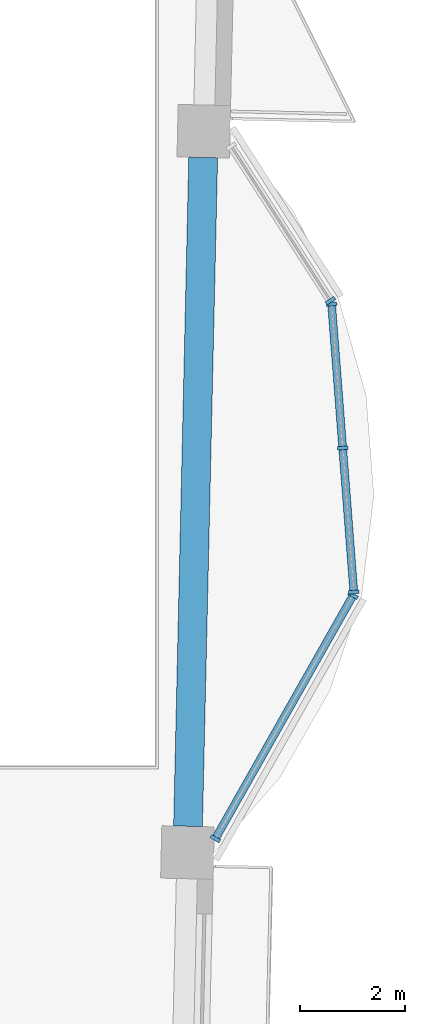
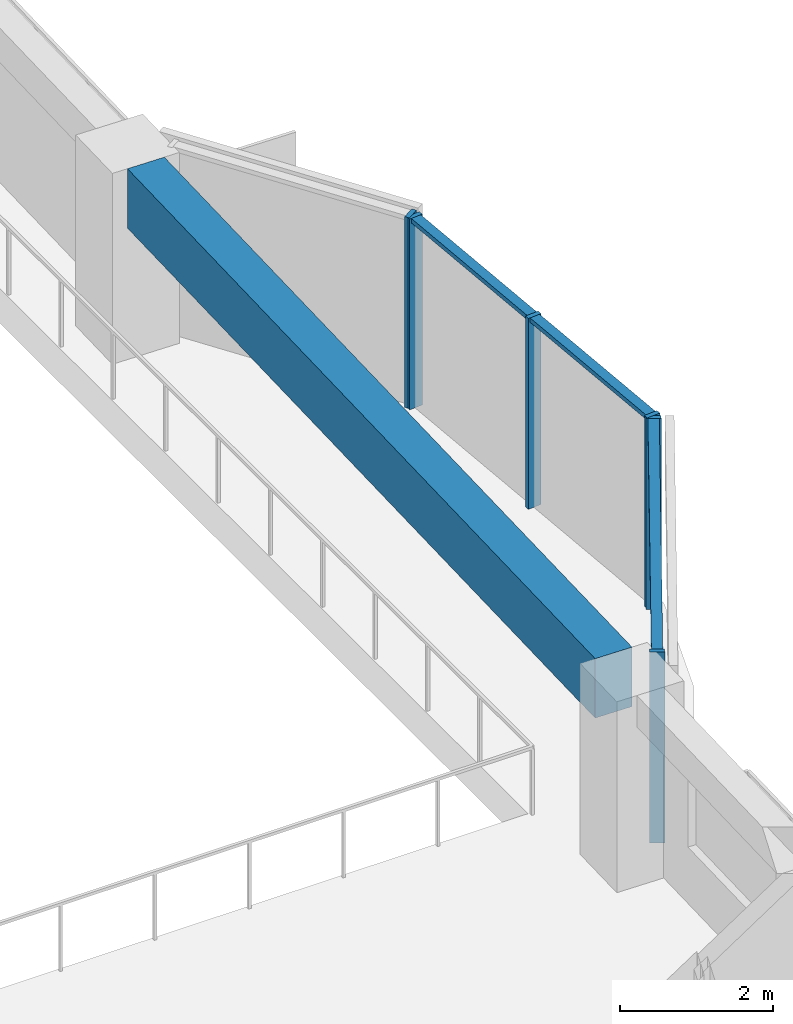
# One storey, part 2 of 17: 9 members, 1 beam, 3 elements without a shape of their own.
"""IFC4 building model written with IfcOpenShell, lengths in metres."""

from ifc_helpers import new_model, si_unit, direction, frame, origin, origin_2d, place, context, subcontext, project, spatial, rectangle, extrude, material, material_profile, profile_set, type_object, element, aggregate, save


model = new_model("IFC4")

# Units and contexts
model_context = context("Model", 3, precision=1e-05, world=origin(), true_north=direction((0.0, 1.0)))
body_context = subcontext(model_context, "Body", "Model", "MODEL_VIEW")
ifc_project = project(units=[si_unit("LENGTHUNIT", "METRE"), si_unit("AREAUNIT", "SQUARE_METRE"), si_unit("VOLUMEUNIT", "CUBIC_METRE"), si_unit("PLANEANGLEUNIT", "RADIAN"), si_unit("MASSUNIT", "GRAM", prefix="KILO")], contexts=[model_context])

# Site, building, storey
site_placement = place(None, origin())
site = spatial("IfcSite", under=ifc_project, at=site_placement, CompositionType="ELEMENT")
building_placement = place(site_placement, origin())
building = spatial("IfcBuilding", under=site, at=building_placement, Name="Mangrove Gate Tower", CompositionType="ELEMENT")
storey_placement = place(building_placement, frame((0.0, 0.0, 268.10009765625)))
storey = spatial("IfcBuildingStorey", under=building, at=storey_placement, Name="L68", CompositionType="ELEMENT", Elevation=268.10009765625)

# Curtain wall, members
ifc_material_1 = material(Name="Aluminium and glass curtain wall", Category="aluminium")
curtain_wall_type = type_object("IfcCurtainWallType", Name="Atrium garden-court glazing wall", PredefinedType="NOTDEFINED", material=ifc_material_1)
curtain_wall_1_placement = place(storey_placement, origin())
curtain_wall_1 = element("IfcCurtainWall", 1, at=curtain_wall_1_placement, inside=storey, type_object=curtain_wall_type, Name="Atrium garden-court glazing E1f1", PredefinedType="NOTDEFINED")
ifc_material_2 = material(Name="Aluminium alloy 6063-T6", Category="aluminium")
ifc_material_profile_1 = material_profile(ifc_material_2, rectangle(XDim=0.070068359375, YDim=0.199951171875, at=origin_2d()))
ifc_profile_set_1 = profile_set([ifc_material_profile_1], Name="Aluminium alloy 6063-T6")
member_type_1 = type_object("IfcMemberType", Name="Atrium garden-court glazing mullion 70x200", PredefinedType="MULLION", material=ifc_profile_set_1)
member_1_placement = place(storey_placement, frame((29.805908203125, -8.890869140625, 0.0), z_axis=(0.0, 0.0, 1.0), x_axis=(0.492567972087, 0.870273975754, 0.0)))
member_1 = element("IfcMember", 2, at=member_1_placement, type_object=member_type_1, Name="CWA mullion 1", PredefinedType="MULLION", context=body_context, shape_type="SweptSolid", body=[
    extrude(rectangle(XDim=0.070068359375, YDim=0.199951171875, at=origin_2d()), origin(), (0.0, 0.0, 1.0), 3.0498046875),
])
member_2_placement = place(storey_placement, frame((32.429931640625, -4.25439453125, 0.0), z_axis=(0.0, 0.0, 1.0), x_axis=(0.492567972087, 0.870273975754, 0.0)))
member_2 = element("IfcMember", 3, at=member_2_placement, type_object=member_type_1, Name="CWA mullion 2", PredefinedType="MULLION", context=body_context, shape_type="SweptSolid", body=[
    extrude(rectangle(XDim=0.070068359375, YDim=0.199951171875, at=origin_2d()), origin(), (0.0, 0.0, 1.0), 3.0498046875),
])

curtain_wall_2_placement = place(storey_placement, origin())
curtain_wall_2 = element("IfcCurtainWall", 4, at=curtain_wall_2_placement, inside=storey, type_object=curtain_wall_type, Name="Atrium garden-court glazing E1f2", PredefinedType="NOTDEFINED")
member_3_placement = place(storey_placement, frame((32.444580078125, -4.18896484375, 0.0), z_axis=(0.0, 0.0, 1.0), x_axis=(-0.077023348403, 0.997029289339, 0.0)))
member_3 = element("IfcMember", 5, at=member_3_placement, type_object=member_type_1, Name="CWA mullion 1", PredefinedType="MULLION", context=body_context, shape_type="SweptSolid", body=[
    extrude(rectangle(XDim=0.070068359375, YDim=0.199951171875, at=origin_2d()), origin(), (0.0, 0.0, 1.0), 3.0498046875),
])
member_4_placement = place(storey_placement, frame((32.232666015625, -1.4453125, 0.0), z_axis=(0.0, 0.0, 1.0), x_axis=(-0.077023348403, 0.997029289339, 0.0)))
member_4 = element("IfcMember", 6, at=member_4_placement, type_object=member_type_1, Name="CWA mullion 2", PredefinedType="MULLION", context=body_context, shape_type="SweptSolid", body=[
    extrude(rectangle(XDim=0.070068359375, YDim=0.199951171875, at=origin_2d()), origin(), (0.0, 0.0, 1.0), 3.0498046875),
])
member_5_placement = place(storey_placement, frame((32.020751953125, 1.298095703125, 0.0), z_axis=(0.0, 0.0, 1.0), x_axis=(-0.077023348403, 0.997029289339, 0.0)))
member_5 = element("IfcMember", 7, at=member_5_placement, type_object=member_type_1, Name="CWA mullion 3", PredefinedType="MULLION", context=body_context, shape_type="SweptSolid", body=[
    extrude(rectangle(XDim=0.070068359375, YDim=0.199951171875, at=origin_2d()), origin(), (0.0, 0.0, 1.0), 3.0498046875),
])

# Curtain wall, member
curtain_wall_3_placement = place(storey_placement, origin())
curtain_wall_3 = element("IfcCurtainWall", 8, at=curtain_wall_3_placement, inside=storey, type_object=curtain_wall_type, Name="Atrium garden-court glazing E1f3", PredefinedType="NOTDEFINED")
member_6_placement = place(storey_placement, frame((31.9990234375, 1.362548828125, 0.0), z_axis=(0.0, 0.0, 1.0), x_axis=(-0.540498107045, 0.841345230141, 0.0)))
member_6 = element("IfcMember", 9, at=member_6_placement, type_object=member_type_1, Name="CWA mullion 1", PredefinedType="MULLION", context=body_context, shape_type="SweptSolid", body=[
    extrude(rectangle(XDim=0.070068359375, YDim=0.199951171875, at=origin_2d()), origin(), (0.0, 0.0, 1.0), 3.0498046875),
])
aggregate(curtain_wall_3, [member_6])

# Member
ifc_material_3 = material(Name="Aluminium alloy 6063-T6", Category="aluminium")
ifc_material_profile_2 = material_profile(ifc_material_3, rectangle(XDim=0.070068359375, YDim=0.14990234375, at=origin_2d()))
ifc_profile_set_2 = profile_set([ifc_material_profile_2], Name="Aluminium alloy 6063-T6")
member_type_2 = type_object("IfcMemberType", Name="Atrium garden-court glazing transom 70x150", PredefinedType="USERDEFINED", material=ifc_profile_set_2)
member_7_placement = place(storey_placement, frame((29.822998046875, -8.8603515625, 3.014892578125), z_axis=(0.492594238536, 0.870259108635, 0.0), x_axis=(0.0, 0.0, 1.0)))
member_7 = element("IfcMember", 10, at=member_7_placement, type_object=member_type_2, Name="CWA transom 1.2", ObjectType="TRANSOM", PredefinedType="USERDEFINED", context=body_context, shape_type="SweptSolid", body=[
    extrude(rectangle(XDim=0.070068359375, YDim=0.14990234375, at=origin_2d()), origin(), (0.0, 0.0, 1.0), 5.257568359375),
])

aggregate(curtain_wall_1, [member_1, member_2, member_7])

member_8_placement = place(storey_placement, frame((32.44189453125, -4.154052734375, 3.014892578125), z_axis=(-0.07701672858, 0.997029800718, 0.0), x_axis=(0.0, 0.0, 1.0)))
member_8 = element("IfcMember", 11, at=member_8_placement, type_object=member_type_2, Name="CWA transom 1.2", ObjectType="TRANSOM", PredefinedType="USERDEFINED", context=body_context, shape_type="SweptSolid", body=[
    extrude(rectangle(XDim=0.070068359375, YDim=0.14990234375, at=origin_2d()), origin(), (0.0, 0.0, 1.0), 2.681884765625),
])

member_9_placement = place(storey_placement, frame((32.22998046875, -1.41064453125, 3.014892578125), z_axis=(-0.07701672858, 0.997029800718, 0.0), x_axis=(0.0, 0.0, 1.0)))
member_9 = element("IfcMember", 12, at=member_9_placement, type_object=member_type_2, Name="CWA transom 2.2", ObjectType="TRANSOM", PredefinedType="USERDEFINED", context=body_context, shape_type="SweptSolid", body=[
    extrude(rectangle(XDim=0.070068359375, YDim=0.14990234375, at=origin_2d()), origin(), (0.0, 0.0, 1.0), 2.681884765625),
])

aggregate(curtain_wall_2, [member_3, member_4, member_5, member_8, member_9])

# Beam
ifc_material_4 = material(Name="Concrete C50/60", Category="concrete")
ifc_material_profile_3 = material_profile(ifc_material_4, rectangle(XDim=0.550048828125, YDim=0.949951171875, at=origin_2d()))
ifc_profile_set_3 = profile_set([ifc_material_profile_3], Name="Concrete C50/60")
beam_type = type_object("IfcBeamType", Name="Edge beam RC 550x950 C50/60", PredefinedType="BEAM", material=ifc_profile_set_3)
beam_placement = place(storey_placement, frame((29.284423828125, -8.65478515625, 2.574951171875), z_axis=(0.022689654485, 0.999742556651, 0.0), x_axis=(-0.999742556651, 0.022689654485, 0.0)))
element("IfcBeam", 13, at=beam_placement, inside=storey, type_object=beam_type, Name="Edge beam L68 15", PredefinedType="BEAM", context=body_context, shape_type="SweptSolid", body=[
    extrude(rectangle(XDim=0.550048828125, YDim=0.949951171875, at=origin_2d()), origin(), (0.0, 0.0, 1.0), 12.75048828125),
])

save(model, "model.ifc")
